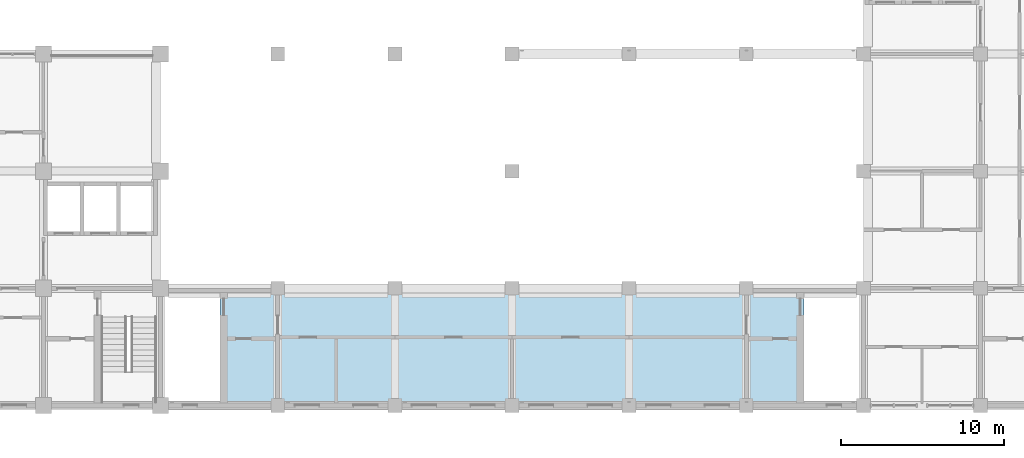
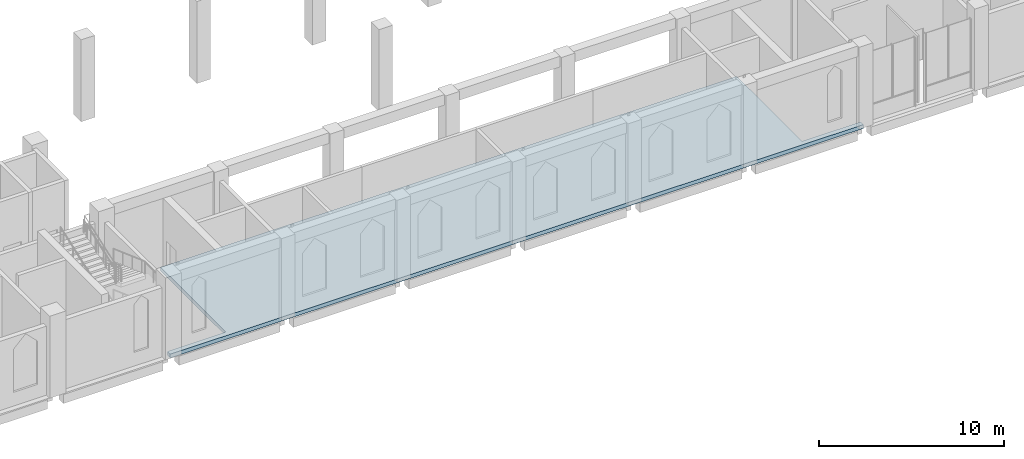
# One storey, part 23 of 48: 1 slab.
"""IFC4 building model written with IfcOpenShell, lengths in metres."""

from ifc_helpers import new_model, si_unit, direction, frame, origin, place, context, subcontext, project, spatial, polyline, outline, extrude, material, layer, layer_set, type_object, element, save


model = new_model("IFC4")

# Units and contexts
model_context = context("Model", 3, precision=1e-05, world=origin(), true_north=direction((0.0, 1.0)))
body_context = subcontext(model_context, "Body", "Model", "MODEL_VIEW")
ifc_project = project(units=[si_unit("LENGTHUNIT", "METRE"), si_unit("AREAUNIT", "SQUARE_METRE"), si_unit("VOLUMEUNIT", "CUBIC_METRE"), si_unit("PLANEANGLEUNIT", "RADIAN"), si_unit("MASSUNIT", "GRAM", prefix="KILO")], contexts=[model_context])

# Site, building, storey
site_placement = place(None, origin())
site = spatial("IfcSite", under=ifc_project, at=site_placement, CompositionType="ELEMENT")
building_placement = place(site_placement, origin())
building = spatial("IfcBuilding", under=site, at=building_placement, Name="Silangan Lancet Faculty of Sciences", CompositionType="ELEMENT")
storey_placement = place(building_placement, frame((0.0, 0.0, 6.0)))
storey = spatial("IfcBuildingStorey", under=building, at=storey_placement, Name="L01", CompositionType="ELEMENT", Elevation=6.0)

# Slab
ifc_material = material(Name="Concrete C35/45", Category="concrete")
ifc_layer = layer(ifc_material, 0.25)
ifc_layer_set = layer_set([ifc_layer], Name="Concrete C35/45")
slab_type = type_object("IfcSlabType", Name="SLAB FLOOR 250", PredefinedType="FLOOR", material=ifc_layer_set)
slab_placement = place(storey_placement, frame((0.0, 0.0, -0.25)))
element("IfcSlab", 1, at=slab_placement, inside=storey, type_object=slab_type, Name="SLAB-L01-POD", PredefinedType="FLOOR", context=body_context, shape_type="SweptSolid", body=[
    extrude(outline(polyline([(72.0, -0.14990234375), (72.0, 0.14990234375), (68.35009765625, 0.14990234375), (68.35009765625, 7.199951171875), (32.449951171875, 7.199951171875), (32.449951171875, 0.14990234375), (28.800048828125, 0.14990234375), (28.800048828125, -0.14990234375), (72.0, -0.14990234375)])), origin(), (0.0, 0.0, 1.0), 0.25),
])

save(model, "model.ifc")
